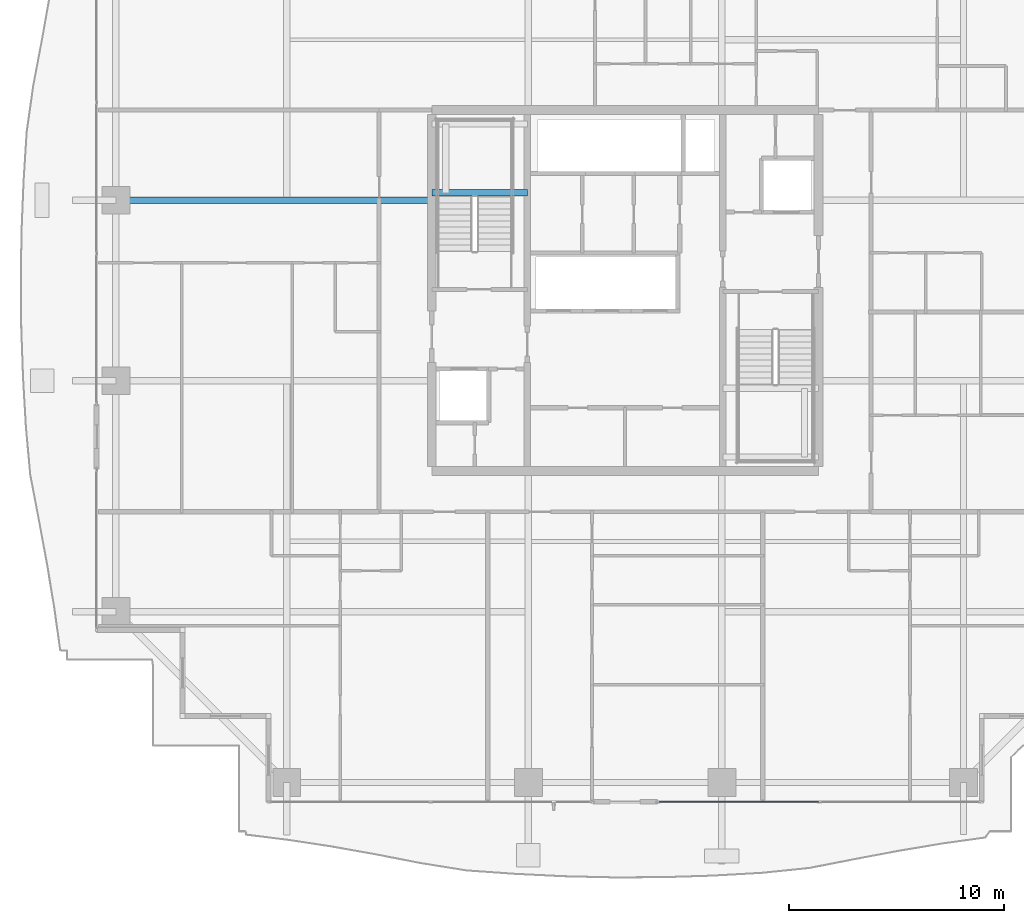
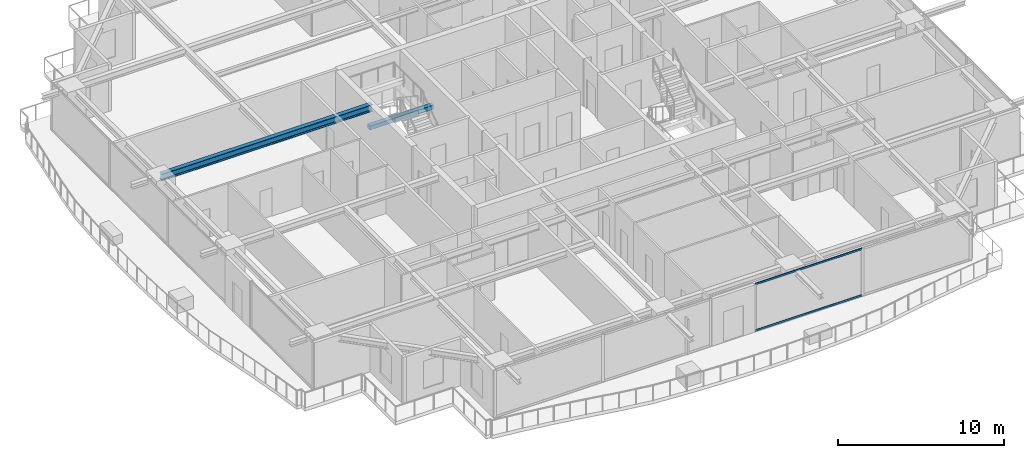
# One storey, part 9 of 35: 2 beams, 2 members, 1 element without a shape of its own.
"""IFC4 building model written with IfcOpenShell, lengths in metres."""

import ifcopenshell
import ifcopenshell.guid

model = None  # the IFC model being written
_history = None  # IfcOwnerHistory: only IFC2X3 demands one
_inside = {}  # id of a spatial element -> (the spatial element, [elements in it])
_under = {}  # id of a project, library or spatial element -> (it, [spatial elements below it])
_declared = {}  # id of a project -> (the project, [libraries it declares])
_typed = {}  # id of a type object -> (the type object, [elements of that type])
_made_of = {}  # id of a material, layer set ... -> (it, [elements and type objects made of it])


def new_model(schema):
    """Start an empty IFC model of exactly this schema.

    Asked for "IFC4X3", IfcOpenShell would pick the latest addendum, in which some entities
    have other attributes; the version numbers below select the first issue.
    IFC2X3 requires an IfcOwnerHistory on every rooted entity: one is made here for all.
    """
    global model, _history
    if schema == "IFC4X3":
        model = ifcopenshell.file(schema_version=(4, 3, 0, 0))
    else:
        model = ifcopenshell.file(schema=schema)
    _inside.clear()
    _under.clear()
    _declared.clear()
    _typed.clear()
    _made_of.clear()
    _history = None
    if model.schema == "IFC2X3":
        org = make("IfcOrganization", Name="unknown")
        user = make(
            "IfcPersonAndOrganization",
            ThePerson=make("IfcPerson", FamilyName="unknown"),
            TheOrganization=org,
        )
        app = make(
            "IfcApplication",
            ApplicationDeveloper=org,
            Version="unknown",
            ApplicationFullName="unknown",
            ApplicationIdentifier="unknown",
        )
        _history = make(
            "IfcOwnerHistory",
            OwningUser=user,
            OwningApplication=app,
            ChangeAction="ADDED",
            CreationDate=0,
        )
    return model


def make(cls, **values):
    """One entity of the class cls with the attributes given. An attribute that is None is left unset."""
    return model.create_entity(
        cls, **{name: value for name, value in values.items() if value is not None}
    )


def rooted(cls, **values):
    """An entity with a GlobalId (a new one), such as an element, a storey or a relation."""
    return make(cls, GlobalId=ifcopenshell.guid.new(), OwnerHistory=_history, **values)


def si_unit(unit_type, name, prefix=None):
    """IfcSIUnit, for example si_unit("LENGTHUNIT", "METRE", prefix="MILLI")."""
    return make("IfcSIUnit", UnitType=unit_type, Prefix=prefix, Name=name)


def assignment(units):
    """IfcUnitAssignment: the units of a project."""
    return None if units is None else make("IfcUnitAssignment", Units=units)


def point(xyz):
    """IfcCartesianPoint."""
    return None if xyz is None else make("IfcCartesianPoint", Coordinates=xyz)


def direction(xyz):
    """IfcDirection."""
    return None if xyz is None else make("IfcDirection", DirectionRatios=xyz)


def frame(location, z_axis=None, x_axis=None):
    """IfcAxis2Placement3D, a coordinate frame: its origin and axes. An axis left out is left unset."""
    return make(
        "IfcAxis2Placement3D",
        Location=point(location),
        Axis=direction(z_axis),
        RefDirection=direction(x_axis),
    )


def frame_2d(location, x_axis=None):
    """IfcAxis2Placement2D, a coordinate frame in the plane: its origin and x axis."""
    return make(
        "IfcAxis2Placement2D", Location=point(location), RefDirection=direction(x_axis)
    )


def origin():
    """The frame at (0, 0, 0) with its axes left unset."""
    return frame((0.0, 0.0, 0.0))


def origin_2d():
    """The frame at (0, 0) in the plane with its x axis left unset."""
    return frame_2d((0.0, 0.0))


def place(relative_to, where):
    """IfcLocalPlacement: puts the frame where relative to a parent placement (None: the world)."""
    return make(
        "IfcLocalPlacement", PlacementRelTo=relative_to, RelativePlacement=where
    )


def context(
    kind, dimensions, precision=None, world=None, true_north=None, identifier=None
):
    """IfcGeometricRepresentationContext, for example the 3D "Model" context."""
    return make(
        "IfcGeometricRepresentationContext",
        ContextIdentifier=identifier,
        ContextType=kind,
        CoordinateSpaceDimension=dimensions,
        Precision=precision,
        WorldCoordinateSystem=world,
        TrueNorth=true_north,
    )


def subcontext(parent, identifier, kind, view, scale=None):
    """IfcGeometricRepresentationSubContext, for example "Body" below "Model"."""
    return make(
        "IfcGeometricRepresentationSubContext",
        ContextIdentifier=identifier,
        ContextType=kind,
        ParentContext=parent,
        TargetScale=scale,
        TargetView=view,
    )


def project(units=None, contexts=None):
    """IfcProject with its units and contexts."""
    return rooted(
        "IfcProject",
        Name="project",
        RepresentationContexts=contexts,
        UnitsInContext=assignment(units),
    )


def spatial(cls, under=None, at=None, **own):
    """A site, building, storey or space (cls), placed at a placement, below another one or the project."""
    s = rooted(cls, ObjectPlacement=at, **own)
    if under is not None:
        _under.setdefault(under.id(), (under, []))[1].append(s)
    return s


def profile(cls, at=None, kind="AREA", **sizes):
    """A parametric profile (cls). Its sizes go by their IFC names, for example OverallWidth=200.0."""
    return make(cls, ProfileType=kind, Position=at, **sizes)


def rectangle(**sizes):
    """IfcRectangleProfileDef."""
    return profile("IfcRectangleProfileDef", **sizes)


def hollow_rectangle(**sizes):
    """IfcRectangleHollowProfileDef."""
    return profile("IfcRectangleHollowProfileDef", **sizes)


def i_section(**sizes):
    """IfcIShapeProfileDef."""
    return profile("IfcIShapeProfileDef", **sizes)


def extrude(swept, where, along, depth):
    """IfcExtrudedAreaSolid: the profile swept, set in the frame where, extruded along a direction by depth."""
    return make(
        "IfcExtrudedAreaSolid",
        SweptArea=swept,
        Position=where,
        ExtrudedDirection=direction(along),
        Depth=depth,
    )


def shape(context_of_items, identifier, shape_type, items):
    """IfcShapeRepresentation: the items that make up one representation, for example the "Body"."""
    return make(
        "IfcShapeRepresentation",
        ContextOfItems=context_of_items,
        RepresentationIdentifier=identifier,
        RepresentationType=shape_type,
        Items=items,
    )


def source(mapping_origin, context_of_items, identifier, shape_type, items):
    """IfcRepresentationMap: a shape defined once, which mapped items show again and again."""
    return make(
        "IfcRepresentationMap",
        MappingOrigin=mapping_origin,
        MappedRepresentation=shape(context_of_items, identifier, shape_type, items),
    )


def transform(
    local_origin,
    x_axis=None,
    y_axis=None,
    z_axis=None,
    scale=None,
    scale2=None,
    scale3=None,
    uniform=True,
):
    """IfcCartesianTransformationOperator3D, or its non-uniform kind. x_axis, y_axis, z_axis: its Axis1, 2, 3."""
    if uniform:
        return make(
            "IfcCartesianTransformationOperator3D",
            Axis1=direction(x_axis),
            Axis2=direction(y_axis),
            LocalOrigin=point(local_origin),
            Scale=scale,
            Axis3=direction(z_axis),
        )
    return make(
        "IfcCartesianTransformationOperator3DnonUniform",
        Axis1=direction(x_axis),
        Axis2=direction(y_axis),
        LocalOrigin=point(local_origin),
        Scale=scale,
        Axis3=direction(z_axis),
        Scale2=scale2,
        Scale3=scale3,
    )


def mapped(mapping_source, mapping_target):
    """IfcMappedItem: shows the shape of a source again, moved by a transform."""
    return make(
        "IfcMappedItem", MappingSource=mapping_source, MappingTarget=mapping_target
    )


def material(Name=None, Category=None):
    """IfcMaterial."""
    return make("IfcMaterial", Name=Name, Category=Category)


def layer(
    of_material, thickness, ventilated=None, Name=None, Category=None, Priority=None
):
    """IfcMaterialLayer: one layer of a wall or slab, of a material (None: an air gap)."""
    return make(
        "IfcMaterialLayer",
        Material=of_material,
        LayerThickness=thickness,
        IsVentilated=ventilated,
        Name=Name,
        Category=Category,
        Priority=Priority,
    )


def layer_set(layers, Name=None):
    """IfcMaterialLayerSet."""
    return make("IfcMaterialLayerSet", MaterialLayers=layers, LayerSetName=Name)


def material_profile(
    of_material, cross_section, Name=None, Category=None, Priority=None
):
    """IfcMaterialProfile: a cross section and its material."""
    return make(
        "IfcMaterialProfile",
        Name=Name,
        Material=of_material,
        Profile=cross_section,
        Priority=Priority,
        Category=Category,
    )


def profile_set(profiles, Name=None, composite=None):
    """IfcMaterialProfileSet."""
    return make(
        "IfcMaterialProfileSet",
        Name=Name,
        MaterialProfiles=profiles,
        CompositeProfile=composite,
    )


def made_of(thing, what):
    """Note that an element or type object is made of a material, layer set ...; save() writes the relation."""
    if what is not None:
        _made_of.setdefault(what.id(), (what, []))[1].append(thing)
    return thing


def type_object(cls, material=None, **own):
    """A type object (cls), such as IfcWallType, which elements share."""
    return made_of(rooted(cls, **own), material)


def element(
    cls,
    number,
    at=None,
    inside=None,
    cuts=None,
    type_object=None,
    material=None,
    context=None,
    identifier="Body",
    shape_type=None,
    held_by="IfcProductDefinitionShape",
    body=None,
    shapes=None,
    **own,
):
    """One element of the class cls, such as IfcWall. Its Tag is "e" and its number.

    at: its placement. inside: the storey or other place that contains it. cuts: it is an
    opening in that element (IfcRelVoidsElement). A single representation is given by context,
    identifier, shape_type and body (its items); several are given by shapes. held_by: the class
    of the entity that holds the representations. save() writes the other relations.
    """
    e = rooted(cls, Tag="e%d" % number, ObjectPlacement=at, **own)
    if body is not None:
        shapes = [shape(context, identifier, shape_type, body)]
    if shapes is not None:
        e.Representation = make(held_by, Representations=shapes)
    if inside is not None:
        _inside.setdefault(inside.id(), (inside, []))[1].append(e)
    if cuts is not None:
        rooted(
            "IfcRelVoidsElement", RelatingBuildingElement=cuts, RelatedOpeningElement=e
        )
    if type_object is not None:
        _typed.setdefault(type_object.id(), (type_object, []))[1].append(e)
    return made_of(e, material)


def aggregate(whole, parts):
    """IfcRelAggregates: a whole, such as a stair, and the parts it consists of."""
    return rooted("IfcRelAggregates", RelatingObject=whole, RelatedObjects=parts)


def save(model, path):
    """Write the relations noted so far, then the file.

    IfcRelAggregates (storeys below a building ...), IfcRelContainedInSpatialStructure (elements
    in a storey), IfcRelDefinesByType, IfcRelAssociatesMaterial and IfcRelDeclares: one each for
    every whole, place, type object, material and project.
    """
    for whole, parts in _under.values():
        aggregate(whole, parts)
    for where, things in _inside.values():
        rooted(
            "IfcRelContainedInSpatialStructure",
            RelatedElements=things,
            RelatingStructure=where,
        )
    for kind, things in _typed.values():
        rooted("IfcRelDefinesByType", RelatedObjects=things, RelatingType=kind)
    for what, things in _made_of.values():
        rooted("IfcRelAssociatesMaterial", RelatedObjects=things, RelatingMaterial=what)
    for by, libraries in _declared.values():
        rooted("IfcRelDeclares", RelatingContext=by, RelatedDefinitions=libraries)
    model.write(path)


model = new_model("IFC4")

# Units and contexts
model_context = context("Model", 3, precision=1e-05, world=origin(), true_north=direction((0.0, 1.0)))
body_context = subcontext(model_context, "Body", "Model", "MODEL_VIEW")
ifc_project = project(units=[si_unit("LENGTHUNIT", "METRE"), si_unit("AREAUNIT", "SQUARE_METRE"), si_unit("VOLUMEUNIT", "CUBIC_METRE"), si_unit("PLANEANGLEUNIT", "RADIAN"), si_unit("MASSUNIT", "GRAM", prefix="KILO")], contexts=[model_context])

# Site, building, storey
site_placement = place(None, origin())
site = spatial("IfcSite", under=ifc_project, at=site_placement, CompositionType="ELEMENT")
building_placement = place(site_placement, origin())
building = spatial("IfcBuilding", under=site, at=building_placement, Name="Serunith Strait Residences", CompositionType="ELEMENT")
storey_placement = place(building_placement, frame((0.0, 0.0, 157.64990234375)))
storey = spatial("IfcBuildingStorey", under=building, at=storey_placement, Name="L39", CompositionType="ELEMENT", Elevation=157.64990234375)

# Beams
ifc_material_1 = material(Name="Steel S355J2", Category="steel")
ifc_material_profile_1 = material_profile(ifc_material_1, i_section(OverallWidth=0.300048828125, OverallDepth=0.5, WebThickness=0.014404296875, FlangeThickness=0.028076171875, FilletRadius=0.027099609375, at=origin_2d()), Name="HEB 500")
ifc_profile_set_1 = profile_set([ifc_material_profile_1], Name="Steel S355J2")
beam_type_1 = type_object("IfcBeamType", Name="BM-HEB500", PredefinedType="BEAM", material=ifc_profile_set_1)
shared_shape_1 = source(origin(), body_context, "Body", "SweptSolid", [
    extrude(i_section(OverallWidth=0.300048828125, OverallDepth=0.5, WebThickness=0.014404296875, FlangeThickness=0.028076171875, FilletRadius=0.027099609375, at=origin_2d()), origin(), (0.0, 0.0, 1.0), 14.699951171875),
])
beam_1_placement = place(storey_placement, frame((23.39990234375, 29.39990234375, 3.237060546875), z_axis=(-1.0, 0.0, 0.0), x_axis=(0.0, -1.0, 0.0)))
element("IfcBeam", 1, at=beam_1_placement, inside=storey, type_object=beam_type_1, Name="L39 Primary Floor Girder TC-W3", PredefinedType="BEAM", context=body_context, shape_type="MappedRepresentation", body=[
    mapped(shared_shape_1, transform((0.0, 0.0, 0.0), scale=1.0)),
])
ifc_material_2 = material(Name="Concrete C60/75", Category="concrete")
ifc_material_profile_2 = material_profile(ifc_material_2, rectangle(XDim=0.300048828125, YDim=0.300048828125, at=origin_2d()), Name="RC 300x300")
ifc_profile_set_2 = profile_set([ifc_material_profile_2], Name="Concrete C60/75")
beam_type_2 = type_object("IfcBeamType", Name="BM-LAND-300x300", PredefinedType="BEAM", material=ifc_profile_set_2)
shared_shape_2 = source(origin(), body_context, "Body", "SweptSolid", [
    extrude(rectangle(XDim=0.300048828125, YDim=0.300048828125, at=origin_2d()), origin(), (0.0, 0.0, 1.0), 4.4501953125),
])
beam_2_placement = place(storey_placement, frame((23.39990234375, 29.75, 1.525146484375), z_axis=(1.0, 0.0, 0.0), x_axis=(0.0, 1.0, 0.0)))
element("IfcBeam", 2, at=beam_2_placement, inside=storey, type_object=beam_type_2, Name="L39 ST-1 Landing Support Beam 1", PredefinedType="BEAM", context=body_context, shape_type="MappedRepresentation", body=[
    mapped(shared_shape_2, transform((0.0, 0.0, 0.0), scale=1.0)),
])

# Curtain wall, members
ifc_material_3 = material(Name="Pale-Champagne Anodised Aluminium", Category="aluminium")
ifc_layer = layer(ifc_material_3, 0.199951171875, Name="Pale-Champagne Anodised Aluminium")
ifc_layer_set = layer_set([ifc_layer], Name="Pale-Champagne Anodised Aluminium")
curtain_wall_type = type_object("IfcCurtainWallType", Name="CW-SYS2", PredefinedType="NOTDEFINED", material=ifc_layer_set)
curtain_wall_placement = place(storey_placement, origin())
curtain_wall = element("IfcCurtainWall", 3, at=curtain_wall_placement, inside=storey, type_object=curtain_wall_type, Name="L39 S Unitised Fritted Curtain Wall", PredefinedType="NOTDEFINED")
ifc_material_profile_3 = material_profile(ifc_material_3, hollow_rectangle(XDim=0.06005859375, YDim=0.139892578125, WallThickness=0.00341796875, InnerFilletRadius=0.00537109375, OuterFilletRadius=0.0087890625, at=origin_2d()), Name="ALU 140x60x3.5")
ifc_profile_set_3 = profile_set([ifc_material_profile_3], Name="Pale-Champagne Anodised Aluminium")
member_type = type_object("IfcMemberType", Name="CW-SYS2-TRAN", PredefinedType="USERDEFINED", material=ifc_profile_set_3)
shared_shape_3 = source(origin(), body_context, "Body", "SweptSolid", [
    extrude(hollow_rectangle(XDim=0.06005859375, YDim=0.139892578125, WallThickness=0.00341796875, InnerFilletRadius=0.00537109375, OuterFilletRadius=0.0087890625, at=origin_2d()), origin(), (0.0, 0.0, 1.0), 7.445068359375),
])
member_1_placement = place(storey_placement, frame((33.969970703125, 1.39990234375, 0.030029296875), z_axis=(1.0, 0.0, 0.0), x_axis=(0.0, 1.0, 0.0)))
member_1 = element("IfcMember", 4, at=member_1_placement, type_object=member_type, Name="CW-2 transom 1.1", ObjectType="TRANSOM", PredefinedType="USERDEFINED", context=body_context, shape_type="MappedRepresentation", body=[
    mapped(shared_shape_3, transform((0.0, 0.0, 0.0), scale=1.0)),
])
member_2_placement = place(storey_placement, frame((33.969970703125, 1.39990234375, 3.445068359375), z_axis=(1.0, 0.0, 0.0), x_axis=(0.0, 1.0, 0.0)))
member_2 = element("IfcMember", 5, at=member_2_placement, type_object=member_type, Name="CW-2 transom 1.2", ObjectType="TRANSOM", PredefinedType="USERDEFINED", context=body_context, shape_type="MappedRepresentation", body=[
    mapped(shared_shape_3, transform((0.0, 0.0, 0.0), scale=1.0)),
])
aggregate(curtain_wall, [member_1, member_2])

save(model, "model.ifc")
